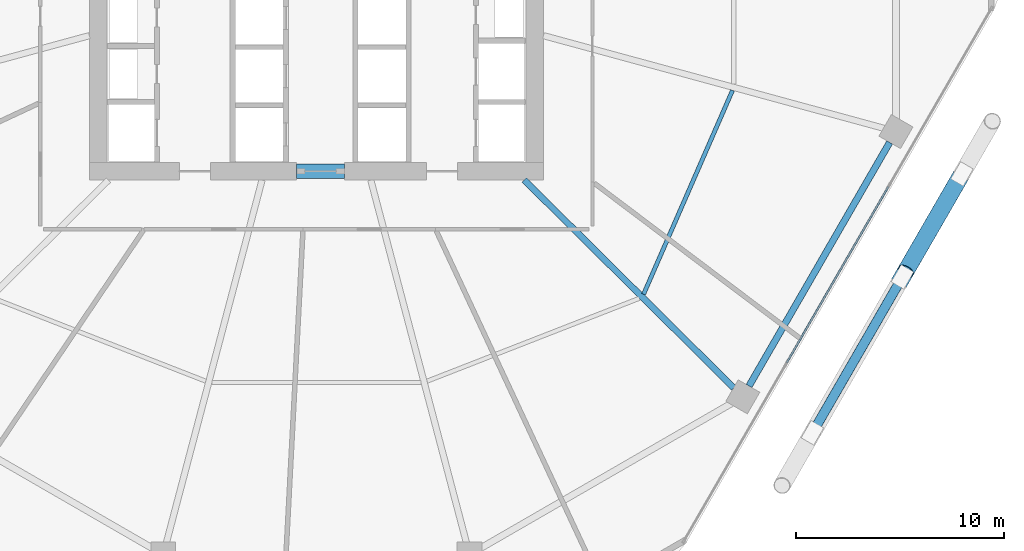
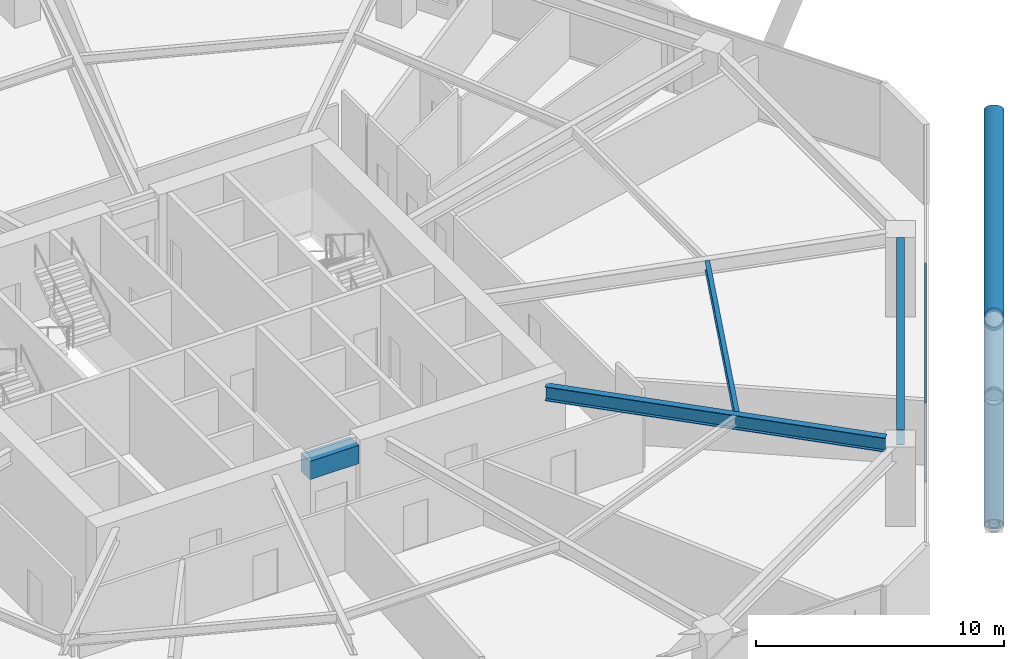
# One storey, part 10 of 28: 5 members, 4 beams, 1 element without a shape of its own.
"""IFC4 building model written with IfcOpenShell, lengths in metres."""

from ifc_helpers import new_model, si_unit, direction, frame, origin, origin_2d, place, context, subcontext, project, spatial, rectangle, hollow_rectangle, hollow_circle, i_section, extrude, material, material_profile, profile_set, type_object, element, aggregate, save


model = new_model("IFC4")

# Units and contexts
model_context = context("Model", 3, precision=1e-05, world=origin(), true_north=direction((0.0, 1.0)))
body_context = subcontext(model_context, "Body", "Model", "MODEL_VIEW")
ifc_project = project(units=[si_unit("LENGTHUNIT", "METRE"), si_unit("AREAUNIT", "SQUARE_METRE"), si_unit("VOLUMEUNIT", "CUBIC_METRE"), si_unit("PLANEANGLEUNIT", "RADIAN"), si_unit("MASSUNIT", "GRAM", prefix="KILO")], contexts=[model_context])

# Site, building, storey
site_placement = place(None, origin())
site = spatial("IfcSite", under=ifc_project, at=site_placement, CompositionType="ELEMENT")
building_placement = place(site_placement, origin())
building = spatial("IfcBuilding", under=site, at=building_placement, Name="Zuhravey Tower", CompositionType="ELEMENT")
storey_placement = place(building_placement, frame((0.0, 0.0, 49.800048828125)))
storey = spatial("IfcBuildingStorey", under=building, at=storey_placement, Name="L12", CompositionType="ELEMENT", Elevation=49.800048828125)

# Beam
ifc_material_1 = material(Name="Concrete C60/75", Category="concrete")
ifc_material_profile_1 = material_profile(ifc_material_1, rectangle(XDim=0.699951171875, YDim=0.89990234375, at=origin_2d()), Name="RC-700x900")
ifc_profile_set_1 = profile_set([ifc_material_profile_1], Name="Concrete C60/75")
beam_type_1 = type_object("IfcBeamType", Name="Core Coupling Beam RC700x900", PredefinedType="LINTEL", material=ifc_profile_set_1)
beam_1_placement = place(storey_placement, frame((35.052001953125, 22.5, 3.469970703125), z_axis=(1.0, 0.0, 0.0), x_axis=(0.0, 1.0, 0.0)))
element("IfcBeam", 1, at=beam_1_placement, inside=storey, type_object=beam_type_1, Name="L12 CB1 BM-L12-CB-S", PredefinedType="LINTEL", context=body_context, shape_type="SweptSolid", body=[
    extrude(rectangle(XDim=0.699951171875, YDim=0.89990234375, at=origin_2d()), origin(), (0.0, 0.0, 1.0), 2.2958984375),
])

# Curtain wall, members
ifc_material_2 = material(Name="Thermally broken anodised aluminium", Category="aluminium")
curtain_wall_type = type_object("IfcCurtainWallType", Name="School Low-E Unitised Curtain Wall CW1", PredefinedType="NOTDEFINED", material=ifc_material_2)
curtain_wall_placement = place(storey_placement, origin())
curtain_wall = element("IfcCurtainWall", 2, at=curtain_wall_placement, inside=storey, type_object=curtain_wall_type, Name="L12 CW1 CW-L12-F6-1", PredefinedType="NOTDEFINED")
ifc_material_3 = material(Name="Anodised aluminium", Category="aluminium")
ifc_material_profile_2 = material_profile(ifc_material_3, hollow_rectangle(XDim=0.090087890625, YDim=0.14990234375, WallThickness=0.0048828125, at=origin_2d()), Name="ALU-RHS-90x150x5")
ifc_profile_set_2 = profile_set([ifc_material_profile_2], Name="Anodised aluminium")
member_type_1 = type_object("IfcMemberType", Name="Curtain-Wall Transom 90x150", PredefinedType="USERDEFINED", material=ifc_profile_set_2)
member_1_placement = place(storey_placement, frame((63.52294921875, 21.754150390625, 0.044921875), z_axis=(-0.499990498062, -0.866030889661, 0.0), x_axis=(0.866030889661, -0.499990498062, 0.0)))
member_1 = element("IfcMember", 3, at=member_1_placement, type_object=member_type_1, Name="CW1 transom 2.1", ObjectType="TRANSOM", PredefinedType="USERDEFINED", context=body_context, shape_type="SweptSolid", body=[
    extrude(hollow_rectangle(XDim=0.090087890625, YDim=0.14990234375, WallThickness=0.0048828125, at=origin_2d()), origin(), (0.0, 0.0, 1.0), 9.776611328125),
])
member_2_placement = place(storey_placement, frame((63.52294921875, 21.754150390625, 3.875), z_axis=(-0.499990498062, -0.866030889661, 0.0), x_axis=(0.866030889661, -0.499990498062, 0.0)))
member_2 = element("IfcMember", 4, at=member_2_placement, type_object=member_type_1, Name="CW1 transom 2.2", ObjectType="TRANSOM", PredefinedType="USERDEFINED", context=body_context, shape_type="SweptSolid", body=[
    extrude(hollow_rectangle(XDim=0.090087890625, YDim=0.14990234375, WallThickness=0.0048828125, at=origin_2d()), origin(), (0.0, 0.0, 1.0), 9.776611328125),
])
aggregate(curtain_wall, [member_1, member_2])

# Members
ifc_material_4 = material(Name="Steel SM355", Category="steel")
ifc_material_profile_3 = material_profile(ifc_material_4, hollow_circle(Radius=0.228515625, WallThickness=0.02197265625, at=origin_2d()), Name="CHS-457.2x22")
ifc_profile_set_3 = profile_set([ifc_material_profile_3], Name="Steel SM355")
member_type_2 = type_object("IfcMemberType", Name="Exoskeleton Ring Tie CHS457x22", PredefinedType="CHORD", material=ifc_profile_set_3)
member_3_placement = place(storey_placement, frame((59.942138671875, 10.031982421875, -0.494140625), z_axis=(0.499995593262, 0.866027948001, 0.0), x_axis=(-0.866027948001, 0.499995593262, 0.0)))
element("IfcMember", 5, at=member_3_placement, inside=storey, type_object=member_type_2, Name="L12 Exoskeleton Face 6 Tie EXR1", PredefinedType="CHORD", context=body_context, shape_type="SweptSolid", body=[
    extrude(hollow_circle(Radius=0.228515625, WallThickness=0.02197265625, at=origin_2d()), origin(), (0.0, 0.0, 1.0), 14.107666015625),
])
ifc_material_5 = material(Name="Steel SM460", Category="steel")
ifc_material_profile_4 = material_profile(ifc_material_5, hollow_circle(Radius=0.406494140625, WallThickness=0.035888671875, at=origin_2d()), Name="CHS-812.8x36")
ifc_profile_set_4 = profile_set([ifc_material_profile_4], Name="Steel SM460")
member_type_3 = type_object("IfcMemberType", Name="Exoskeleton Zone 1 Diagrid CHS813x36", PredefinedType="BRACE", material=ifc_profile_set_4)
member_4_placement = place(storey_placement, frame((59.894775390625, 9.949951171875, -0.47216796875), z_axis=(0.449930136784, 0.779308000818, 0.436167298034), x_axis=(-0.866027110715, 0.499997043497, 0.0)))
element("IfcMember", 6, at=member_4_placement, inside=storey, type_object=member_type_3, Name="L12 Face 6 Diagrid Brace 2", PredefinedType="BRACE", context=body_context, shape_type="SweptSolid", body=[
    extrude(hollow_circle(Radius=0.406494140625, WallThickness=0.035888671875, at=origin_2d()), origin(), (0.0, 0.0, 1.0), 19.158203125),
])
member_5_placement = place(storey_placement, frame((67.045654296875, 22.335693359375, -0.464111328125), z_axis=(-0.403092056741, -0.69816190232, 0.59168129254), x_axis=(0.866021056018, -0.500007530476, 0.0)))
element("IfcMember", 7, at=member_5_placement, inside=storey, type_object=member_type_3, Name="L12 Face 6 Split Diagrid Brace 3A", PredefinedType="BRACE", context=body_context, shape_type="SweptSolid", body=[
    extrude(hollow_circle(Radius=0.406494140625, WallThickness=0.035888671875, at=origin_2d()), origin(), (0.0, 0.0, 1.0), 6.6513671875),
])

# Beams
ifc_material_profile_5 = material_profile(ifc_material_4, i_section(OverallWidth=0.320068359375, OverallDepth=0.75, WebThickness=0.013916015625, FlangeThickness=0.02490234375, at=origin_2d()), Name="H-750x320x14x25")
ifc_profile_set_5 = profile_set([ifc_material_profile_5], Name="Steel SM355")
beam_type_2 = type_object("IfcBeamType", Name="Perimeter Ring Beam H750x320", PredefinedType="BEAM", material=ifc_profile_set_5)
beam_2_placement = place(storey_placement, frame((56.820556640625, 12.165283203125, 3.544921875), z_axis=(0.499999877243, 0.866025474658, 0.0), x_axis=(-0.866025474658, 0.499999877243, 0.0)))
element("IfcBeam", 8, at=beam_2_placement, inside=storey, type_object=beam_type_2, Name="L12 PB1 BM-L12-PB-11", PredefinedType="BEAM", context=body_context, shape_type="SweptSolid", body=[
    extrude(i_section(OverallWidth=0.320068359375, OverallDepth=0.75, WebThickness=0.013916015625, FlangeThickness=0.02490234375, at=origin_2d()), origin(), (0.0, 0.0, 1.0), 13.5341796875),
])
ifc_material_profile_6 = material_profile(ifc_material_4, i_section(OverallWidth=0.300048828125, OverallDepth=0.699951171875, WebThickness=0.012939453125, FlangeThickness=0.02392578125, at=origin_2d()), Name="H-700x300x13x24")
ifc_profile_set_6 = profile_set([ifc_material_profile_6], Name="Steel SM355")
beam_type_3 = type_object("IfcBeamType", Name="Radial Primary Girder H700x300", PredefinedType="BEAM", material=ifc_profile_set_6)
beam_3_placement = place(storey_placement, frame((46.007080078125, 22.072021484375, 3.570068359375), z_axis=(0.709902823282, -0.704299639, 0.0), x_axis=(0.704299639, 0.709902823282, 0.0)))
element("IfcBeam", 9, at=beam_3_placement, inside=storey, type_object=beam_type_3, Name="L12 RG1 BM-L12-RAD-11", PredefinedType="BEAM", context=body_context, shape_type="SweptSolid", body=[
    extrude(i_section(OverallWidth=0.300048828125, OverallDepth=0.699951171875, WebThickness=0.012939453125, FlangeThickness=0.02392578125, at=origin_2d()), origin(), (0.0, 0.0, 1.0), 14.204345703125),
])
ifc_material_profile_7 = material_profile(ifc_material_4, i_section(OverallWidth=0.199951171875, OverallDepth=0.449951171875, WebThickness=0.009033203125, FlangeThickness=0.013916015625, at=origin_2d()), Name="H-450x200x9x14")
ifc_profile_set_7 = profile_set([ifc_material_profile_7], Name="Steel SM355")
beam_type_4 = type_object("IfcBeamType", Name="Secondary Floor Joist H450x200", PredefinedType="JOIST", material=ifc_profile_set_7)
beam_4_placement = place(storey_placement, frame((51.7451171875, 16.58154296875, 3.695068359375), z_axis=(0.399923551578, 0.916548500022, 0.0), x_axis=(-0.916548500022, 0.399923551578, 0.0)))
element("IfcBeam", 10, at=beam_4_placement, inside=storey, type_object=beam_type_4, Name="L12 SJ1 BM-L12-SJ-11-1", PredefinedType="JOIST", context=body_context, shape_type="SweptSolid", body=[
    extrude(i_section(OverallWidth=0.199951171875, OverallDepth=0.449951171875, WebThickness=0.009033203125, FlangeThickness=0.013916015625, at=origin_2d()), origin(), (0.0, 0.0, 1.0), 10.70263671875),
])

save(model, "model.ifc")
